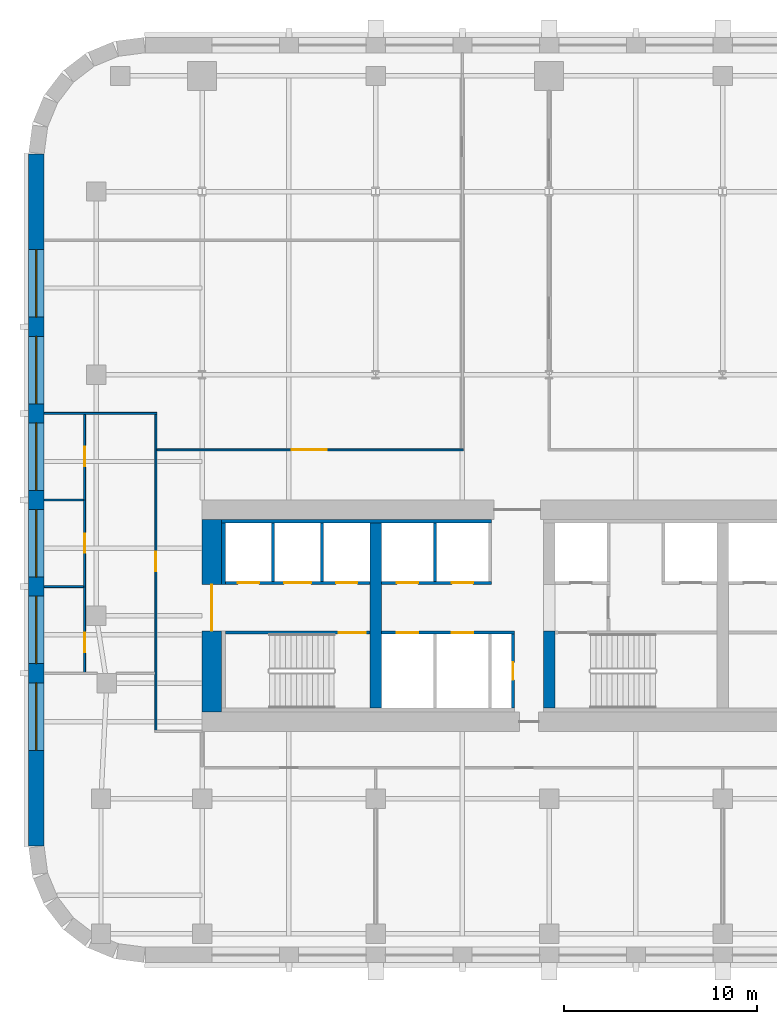
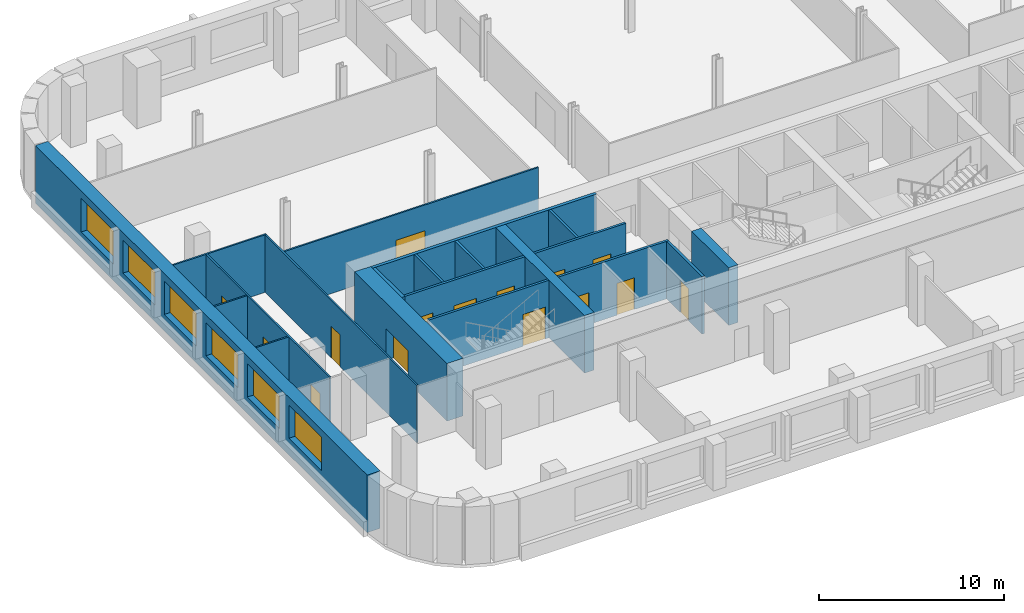
# One storey, part 3 of 9: 20 walls, 15 doors, 6 windows, 21 openings.
"""IFC4 building model written with IfcOpenShell, lengths in metres."""

from ifc_helpers import new_model, si_unit, direction, frame, frame_2d, origin, place, context, subcontext, project, spatial, rectangle, extrude, material, layer, layer_set, type_object, element, fill, save


model = new_model("IFC4")

# Units and contexts
model_context = context("Model", 3, precision=1e-05, world=origin(), true_north=direction((0.0, 1.0)))
body_context = subcontext(model_context, "Body", "Model", "MODEL_VIEW")
ifc_project = project(units=[si_unit("LENGTHUNIT", "METRE"), si_unit("AREAUNIT", "SQUARE_METRE"), si_unit("VOLUMEUNIT", "CUBIC_METRE"), si_unit("PLANEANGLEUNIT", "RADIAN"), si_unit("MASSUNIT", "GRAM", prefix="KILO")], contexts=[model_context])

# Site, building, storey
site_placement = place(None, origin())
site = spatial("IfcSite", under=ifc_project, at=site_placement, CompositionType="ELEMENT")
building_placement = place(site_placement, origin())
building = spatial("IfcBuilding", under=site, at=building_placement, Name="Zellij Exchange Tower", CompositionType="ELEMENT")
storey_placement = place(building_placement, frame((0.0, 0.0, 116.5)))
storey = spatial("IfcBuildingStorey", under=building, at=storey_placement, Name="L25", CompositionType="ELEMENT", Elevation=116.5)

# Walls
ifc_material_1 = material(Name="Concrete C70/85", Category="concrete")
ifc_layer_1 = layer(ifc_material_1, 0.60009765625)
ifc_layer_set_1 = layer_set([ifc_layer_1], Name="Concrete C70/85")
wall_type_1 = type_object("IfcWallType", Name="CORE-CW 600 C70/85", PredefinedType="SHEAR", material=ifc_layer_set_1)
wall_1_placement = place(storey_placement, frame((-18.0, -12.800048828125, 0.0), z_axis=(0.0, 0.0, 1.0), x_axis=(0.0, 1.0, 0.0)))
element("IfcWall", 1, at=wall_1_placement, inside=storey, type_object=wall_type_1, Name="Core cross wall x -18 L25", PredefinedType="SHEAR", context=body_context, shape_type="SweptSolid", body=[
    extrude(rectangle(XDim=9.60009765625, YDim=0.60009765625, at=frame_2d((4.800048828125, 0.0))), origin(), (0.0, 0.0, 1.0), 3.800048828125),
])
wall_2_placement = place(storey_placement, frame((-9.0, -12.800048828125, 0.0), z_axis=(0.0, 0.0, 1.0), x_axis=(0.0, 1.0, 0.0)))
element("IfcWall", 2, at=wall_2_placement, inside=storey, type_object=wall_type_1, Name="Core cross wall pier x -9 a L25", PredefinedType="SHEAR", context=body_context, shape_type="SweptSolid", body=[
    extrude(rectangle(XDim=4.0, YDim=0.60009765625, at=frame_2d((2.0, 0.0))), origin(), (0.0, 0.0, 1.0), 3.800048828125),
])
ifc_material_2 = material(Name="Concrete C30/37", Category="concrete")
ifc_layer_2 = layer(ifc_material_2, 0.199951171875)
ifc_layer_set_2 = layer_set([ifc_layer_2], Name="Concrete C30/37")
wall_type_2 = type_object("IfcWallType", Name="CORE-LW 200 C30/37", PredefinedType="SHEAR", material=ifc_layer_set_2)
wall_3_placement = place(storey_placement, frame((-26.0, -3.10009765625, 0.0), z_axis=(0.0, 0.0, 1.0), x_axis=(1.0, 0.0, 0.0)))
element("IfcWall", 3, at=wall_3_placement, inside=storey, type_object=wall_type_2, Name="Core wall lining front.0 L25", PredefinedType="SHEAR", context=body_context, shape_type="SweptSolid", body=[
    extrude(rectangle(XDim=14.0, YDim=0.199951171875, at=frame_2d((7.0, 0.0))), origin(), (0.0, 0.0, 1.0), 3.800048828125),
])
wall_4_placement = place(storey_placement, frame((-25.89990234375, -6.375, 0.0), z_axis=(0.0, 0.0, 1.0), x_axis=(0.0, 1.0, 0.0)))
element("IfcWall", 4, at=wall_4_placement, inside=storey, type_object=wall_type_2, Name="Core wall lining end w.1 L25", PredefinedType="SHEAR", context=body_context, shape_type="SweptSolid", body=[
    extrude(rectangle(XDim=3.175048828125, YDim=0.199951171875, at=frame_2d((1.58740234375, 0.0))), origin(), (0.0, 0.0, 1.0), 3.800048828125),
])

# Wall, opening, door
ifc_material_3 = material(Name="Gypsum board partition")
ifc_layer_3 = layer(ifc_material_3, 0.14990234375)
ifc_layer_set_3 = layer_set([ifc_layer_3], Name="Gypsum board partition")
wall_type_3 = type_object("IfcWallType", Name="CORE-PW 150 Lift lobby wall", PredefinedType="PARTITIONING", material=ifc_layer_set_3)
wall_5_placement = place(storey_placement, frame((-10.875, -12.800048828125, 0.0), z_axis=(0.0, 0.0, 1.0), x_axis=(0.0, 1.0, 0.0)))
wall_5 = element("IfcWall", 5, at=wall_5_placement, inside=storey, type_object=wall_type_3, Name="Lift lobby wall L25", PredefinedType="PARTITIONING", context=body_context, shape_type="SweptSolid", body=[
    extrude(rectangle(XDim=3.85009765625, YDim=0.14990234375, at=frame_2d((1.925048828125, 0.0))), origin(), (0.0, 0.0, 1.0), 3.800048828125),
])
opening_1_placement = place(wall_5_placement, frame((1.47509765625, 0.0, 0.0)))
opening_1 = element("IfcOpeningElement", 6, at=opening_1_placement, cuts=wall_5, Name="Opening CA-14.10", PredefinedType="OPENING", context=body_context, shape_type="SweptSolid", body=[
    extrude(rectangle(XDim=0.89990234375, YDim=2.10009765625, at=frame_2d((0.449951171875, 1.050048828125))), frame((0.0, 0.0869140625, 0.0), z_axis=(0.0, -1.0, 0.0), x_axis=(1.0, 0.0, 0.0)), (0.0, 0.0, 1.0), 0.173828125),
])
ifc_material_4 = material(Name="Hollow metal fire door")
door_type_1 = type_object("IfcDoorType", Name="CORE-D RD Riser door 900x2100 1.5 HR", OperationType="NOTDEFINED", PredefinedType="DOOR", material=ifc_material_4)
door_1_placement = place(opening_1_placement, origin())
door_1 = element("IfcDoor", 7, at=door_1_placement, inside=storey, type_object=door_type_1, Name="Riser door CA-14.10", OperationType="SINGLE_SWING_RIGHT", OverallHeight=2.10009765625, OverallWidth=0.89990234375, PredefinedType="DOOR", context=body_context, shape_type="SweptSolid", body=[
    extrude(rectangle(XDim=0.89990234375, YDim=2.10009765625, at=frame_2d((0.449951171875, 1.050048828125))), frame((0.0, 0.02490234375, 0.0), z_axis=(0.0, -1.0, 0.0), x_axis=(1.0, 0.0, 0.0)), (0.0, 0.0, 1.0), 0.050048828125),
])
fill(opening_1, door_1)

# Walls
ifc_material_5 = material(Name="Gypsum shaft wall system")
ifc_layer_4 = layer(ifc_material_5, 0.14990234375)
ifc_layer_set_4 = layer_set([ifc_layer_4], Name="Gypsum shaft wall system")
wall_type_4 = type_object("IfcWallType", Name="CORE-PW 150 Lift shaft wall", PredefinedType="PARTITIONING", material=ifc_layer_set_4)
for number, where, z_axis, x_axis, name in (
    (8, (-20.77490234375, -6.22509765625, 0.0), (0.0, 0.0, 1.0), (0.0, 1.0, 0.0), "Lift shaft wall L25"),
    (9, (-23.324951171875, -6.22509765625, 0.0), (0.0, 0.0, 1.0), (0.0, 1.0, 0.0), "Lift shaft wall L25"),
    (10, (-14.925048828125, -6.22509765625, 0.0), (0.0, 0.0, 1.0), (0.0, 1.0, 0.0), "Lift shaft wall L25"),
):
    element("IfcWall", number, at=place(storey_placement, frame(where, z_axis=z_axis, x_axis=x_axis)), inside=storey, type_object=wall_type_4, Name=name, PredefinedType="PARTITIONING", context=body_context, shape_type="SweptSolid", body=[
        extrude(rectangle(XDim=3.025146484375, YDim=0.14990234375, at=frame_2d((1.5126953125, 0.0))), origin(), (0.0, 0.0, 1.0), 3.800048828125),
    ])

# Wall, openings, doors
wall_6_placement = place(storey_placement, frame((-25.800048828125, -6.300048828125, 0.0), z_axis=(0.0, 0.0, 1.0), x_axis=(1.0, 0.0, 0.0)))
wall_6 = element("IfcWall", 11, at=wall_6_placement, inside=storey, type_object=wall_type_4, Name="Lift shaft wall L25", PredefinedType="PARTITIONING", context=body_context, shape_type="SweptSolid", body=[
    extrude(rectangle(XDim=7.5, YDim=0.14990234375, at=frame_2d((3.75, 0.0))), origin(), (0.0, 0.0, 1.0), 3.800048828125),
])
opening_2_placement = place(wall_6_placement, frame((0.64990234375, 0.0, 0.0)))
opening_2 = element("IfcOpeningElement", 12, at=opening_2_placement, cuts=wall_6, Name="Opening CA-14.02", PredefinedType="OPENING", context=body_context, shape_type="SweptSolid", body=[
    extrude(rectangle(XDim=1.10009765625, YDim=2.10009765625, at=frame_2d((0.550048828125, 1.050048828125))), frame((0.0, 0.0869140625, 0.0), z_axis=(0.0, -1.0, 0.0), x_axis=(1.0, 0.0, 0.0)), (0.0, 0.0, 1.0), 0.173828125),
])
opening_3_placement = place(wall_6_placement, frame((3.050048828125, 0.0, 0.0)))
opening_3 = element("IfcOpeningElement", 13, at=opening_3_placement, cuts=wall_6, Name="Opening CA-14.03", PredefinedType="OPENING", context=body_context, shape_type="SweptSolid", body=[
    extrude(rectangle(XDim=1.39990234375, YDim=2.10009765625, at=frame_2d((0.699951171875, 1.050048828125))), frame((0.0, 0.0869140625, 0.0), z_axis=(0.0, -1.0, 0.0), x_axis=(1.0, 0.0, 0.0)), (0.0, 0.0, 1.0), 0.173828125),
])
opening_4_placement = place(wall_6_placement, frame((5.75, 0.0, 0.0)))
opening_4 = element("IfcOpeningElement", 14, at=opening_4_placement, cuts=wall_6, Name="Opening CA-14.04", PredefinedType="OPENING", context=body_context, shape_type="SweptSolid", body=[
    extrude(rectangle(XDim=1.10009765625, YDim=2.10009765625, at=frame_2d((0.550048828125, 1.050048828125))), frame((0.0, 0.0869140625, 0.0), z_axis=(0.0, -1.0, 0.0), x_axis=(1.0, 0.0, 0.0)), (0.0, 0.0, 1.0), 0.173828125),
])
door_type_2 = type_object("IfcDoorType", Name="CORE-D LD Lift landing door 1100x2100 1.5 HR", OperationType="NOTDEFINED", PredefinedType="DOOR", material=ifc_material_4)
door_2_placement = place(opening_2_placement, origin())
door_2 = element("IfcDoor", 15, at=door_2_placement, inside=storey, type_object=door_type_2, Name="Lift landing door CA-14.02", OperationType="SLIDING_TO_RIGHT", OverallHeight=2.10009765625, OverallWidth=1.10009765625, PredefinedType="DOOR", context=body_context, shape_type="SweptSolid", body=[
    extrude(rectangle(XDim=1.10009765625, YDim=2.10009765625, at=frame_2d((0.550048828125, 1.050048828125))), frame((0.0, 0.02490234375, 0.0), z_axis=(0.0, -1.0, 0.0), x_axis=(1.0, 0.0, 0.0)), (0.0, 0.0, 1.0), 0.050048828125),
])
fill(opening_2, door_2)
door_3_placement = place(opening_4_placement, origin())
door_3 = element("IfcDoor", 16, at=door_3_placement, inside=storey, type_object=door_type_2, Name="Lift landing door CA-14.04", OperationType="SLIDING_TO_RIGHT", OverallHeight=2.10009765625, OverallWidth=1.10009765625, PredefinedType="DOOR", context=body_context, shape_type="SweptSolid", body=[
    extrude(rectangle(XDim=1.10009765625, YDim=2.10009765625, at=frame_2d((0.550048828125, 1.050048828125))), frame((0.0, 0.02490234375, 0.0), z_axis=(0.0, -1.0, 0.0), x_axis=(1.0, 0.0, 0.0)), (0.0, 0.0, 1.0), 0.050048828125),
])
fill(opening_4, door_3)
door_type_3 = type_object("IfcDoorType", Name="CORE-D LD2 Service lift landing door 1400x2100 1.5 HR", OperationType="NOTDEFINED", PredefinedType="DOOR", material=ifc_material_4)
door_4_placement = place(opening_3_placement, origin())
door_4 = element("IfcDoor", 17, at=door_4_placement, inside=storey, type_object=door_type_3, Name="Service lift landing door CA-14.03", OperationType="SLIDING_TO_LEFT", OverallHeight=2.10009765625, OverallWidth=1.39990234375, PredefinedType="DOOR", context=body_context, shape_type="SweptSolid", body=[
    extrude(rectangle(XDim=1.39990234375, YDim=2.10009765625, at=frame_2d((0.699951171875, 1.050048828125))), frame((0.0, 0.02490234375, 0.0), z_axis=(0.0, -1.0, 0.0), x_axis=(1.0, 0.0, 0.0)), (0.0, 0.0, 1.0), 0.050048828125),
])
fill(opening_3, door_4)

wall_7_placement = place(storey_placement, frame((-17.699951171875, -6.300048828125, 0.0), z_axis=(0.0, 0.0, 1.0), x_axis=(1.0, 0.0, 0.0)))
wall_7 = element("IfcWall", 18, at=wall_7_placement, inside=storey, type_object=wall_type_4, Name="Lift shaft wall L25", PredefinedType="PARTITIONING", context=body_context, shape_type="SweptSolid", body=[
    extrude(rectangle(XDim=5.699951171875, YDim=0.14990234375, at=frame_2d((2.85009765625, 0.0))), origin(), (0.0, 0.0, 1.0), 3.800048828125),
])
opening_5_placement = place(wall_7_placement, frame((0.800048828125, 0.0, 0.0)))
opening_5 = element("IfcOpeningElement", 19, at=opening_5_placement, cuts=wall_7, Name="Opening CA-14.07", PredefinedType="OPENING", context=body_context, shape_type="SweptSolid", body=[
    extrude(rectangle(XDim=1.10009765625, YDim=2.10009765625, at=frame_2d((0.550048828125, 1.050048828125))), frame((0.0, 0.0869140625, 0.0), z_axis=(0.0, -1.0, 0.0), x_axis=(1.0, 0.0, 0.0)), (0.0, 0.0, 1.0), 0.173828125),
])
opening_6_placement = place(wall_7_placement, frame((3.64990234375, 0.0, 0.0)))
opening_6 = element("IfcOpeningElement", 20, at=opening_6_placement, cuts=wall_7, Name="Opening CA-14.09", PredefinedType="OPENING", context=body_context, shape_type="SweptSolid", body=[
    extrude(rectangle(XDim=1.10009765625, YDim=2.10009765625, at=frame_2d((0.550048828125, 1.050048828125))), frame((0.0, 0.0869140625, 0.0), z_axis=(0.0, -1.0, 0.0), x_axis=(1.0, 0.0, 0.0)), (0.0, 0.0, 1.0), 0.173828125),
])
door_5_placement = place(opening_5_placement, origin())
door_5 = element("IfcDoor", 21, at=door_5_placement, inside=storey, type_object=door_type_2, Name="Lift landing door CA-14.07", OperationType="SLIDING_TO_LEFT", OverallHeight=2.10009765625, OverallWidth=1.10009765625, PredefinedType="DOOR", context=body_context, shape_type="SweptSolid", body=[
    extrude(rectangle(XDim=1.10009765625, YDim=2.10009765625, at=frame_2d((0.550048828125, 1.050048828125))), frame((0.0, 0.02490234375, 0.0), z_axis=(0.0, -1.0, 0.0), x_axis=(1.0, 0.0, 0.0)), (0.0, 0.0, 1.0), 0.050048828125),
])
fill(opening_5, door_5)
door_6_placement = place(opening_6_placement, origin())
door_6 = element("IfcDoor", 22, at=door_6_placement, inside=storey, type_object=door_type_2, Name="Lift landing door CA-14.09", OperationType="SLIDING_TO_LEFT", OverallHeight=2.10009765625, OverallWidth=1.10009765625, PredefinedType="DOOR", context=body_context, shape_type="SweptSolid", body=[
    extrude(rectangle(XDim=1.10009765625, YDim=2.10009765625, at=frame_2d((0.550048828125, 1.050048828125))), frame((0.0, 0.02490234375, 0.0), z_axis=(0.0, -1.0, 0.0), x_axis=(1.0, 0.0, 0.0)), (0.0, 0.0, 1.0), 0.050048828125),
])
fill(opening_6, door_6)

wall_8_placement = place(storey_placement, frame((-17.699951171875, -8.875, 0.0), z_axis=(0.0, 0.0, 1.0), x_axis=(1.0, 0.0, 0.0)))
wall_8 = element("IfcWall", 23, at=wall_8_placement, inside=storey, type_object=wall_type_4, Name="Lift shaft wall L25", PredefinedType="PARTITIONING", context=body_context, shape_type="SweptSolid", body=[
    extrude(rectangle(XDim=6.89990234375, YDim=0.14990234375, at=frame_2d((3.449951171875, 0.0))), origin(), (0.0, 0.0, 1.0), 3.800048828125),
])
opening_7_placement = place(wall_8_placement, frame((0.800048828125, 0.0, 0.0)))
opening_7 = element("IfcOpeningElement", 24, at=opening_7_placement, cuts=wall_8, Name="Opening CA-14.06", PredefinedType="OPENING", context=body_context, shape_type="SweptSolid", body=[
    extrude(rectangle(XDim=1.10009765625, YDim=2.10009765625, at=frame_2d((0.550048828125, 1.050048828125))), frame((0.0, 0.0869140625, 0.0), z_axis=(0.0, -1.0, 0.0), x_axis=(1.0, 0.0, 0.0)), (0.0, 0.0, 1.0), 0.173828125),
])
opening_8_placement = place(wall_8_placement, frame((3.64990234375, 0.0, 0.0)))
opening_8 = element("IfcOpeningElement", 25, at=opening_8_placement, cuts=wall_8, Name="Opening CA-14.08", PredefinedType="OPENING", context=body_context, shape_type="SweptSolid", body=[
    extrude(rectangle(XDim=1.10009765625, YDim=2.10009765625, at=frame_2d((0.550048828125, 1.050048828125))), frame((0.0, 0.0869140625, 0.0), z_axis=(0.0, -1.0, 0.0), x_axis=(1.0, 0.0, 0.0)), (0.0, 0.0, 1.0), 0.173828125),
])
door_7_placement = place(opening_7_placement, origin())
door_7 = element("IfcDoor", 26, at=door_7_placement, inside=storey, type_object=door_type_2, Name="Lift landing door CA-14.06", OperationType="SLIDING_TO_RIGHT", OverallHeight=2.10009765625, OverallWidth=1.10009765625, PredefinedType="DOOR", context=body_context, shape_type="SweptSolid", body=[
    extrude(rectangle(XDim=1.10009765625, YDim=2.10009765625, at=frame_2d((0.550048828125, 1.050048828125))), frame((0.0, 0.02490234375, 0.0), z_axis=(0.0, -1.0, 0.0), x_axis=(1.0, 0.0, 0.0)), (0.0, 0.0, 1.0), 0.050048828125),
])
fill(opening_7, door_7)
door_8_placement = place(opening_8_placement, origin())
door_8 = element("IfcDoor", 27, at=door_8_placement, inside=storey, type_object=door_type_2, Name="Lift landing door CA-14.08", OperationType="SLIDING_TO_RIGHT", OverallHeight=2.10009765625, OverallWidth=1.10009765625, PredefinedType="DOOR", context=body_context, shape_type="SweptSolid", body=[
    extrude(rectangle(XDim=1.10009765625, YDim=2.10009765625, at=frame_2d((0.550048828125, 1.050048828125))), frame((0.0, 0.02490234375, 0.0), z_axis=(0.0, -1.0, 0.0), x_axis=(1.0, 0.0, 0.0)), (0.0, 0.0, 1.0), 0.050048828125),
])
fill(opening_8, door_8)

# Wall, opening, door
ifc_layer_5 = layer(ifc_material_1, 1.0)
ifc_layer_set_5 = layer_set([ifc_layer_5], Name="Concrete C70/85")
wall_type_5 = type_object("IfcWallType", Name="CORE-SW 1000 C70/85", PredefinedType="SHEAR", material=ifc_layer_set_5)
wall_9_placement = place(storey_placement, frame((-26.5, -13.0, 0.0), z_axis=(0.0, 0.0, 1.0), x_axis=(0.0, 1.0, 0.0)))
wall_9 = element("IfcWall", 28, at=wall_9_placement, inside=storey, type_object=wall_type_5, Name="Core shear wall end w L25", PredefinedType="SHEAR", context=body_context, shape_type="SweptSolid", body=[
    extrude(rectangle(XDim=10.0, YDim=1.0, at=frame_2d((5.0, 0.0))), origin(), (0.0, 0.0, 1.0), 3.800048828125),
])
opening_9_placement = place(wall_9_placement, frame((4.2119140625, 0.0, 0.0)))
opening_9 = element("IfcOpeningElement", 29, at=opening_9_placement, cuts=wall_9, Name="Opening CA-14.01", PredefinedType="OPENING", context=body_context, shape_type="SweptSolid", body=[
    extrude(rectangle(XDim=2.39990234375, YDim=2.10009765625, at=frame_2d((1.199951171875, 1.050048828125))), frame((0.0, 0.511962890625, 0.0), z_axis=(0.0, -1.0, 0.0), x_axis=(1.0, 0.0, 0.0)), (0.0, 0.0, 1.0), 1.02392578125),
])
door_type_4 = type_object("IfcDoorType", Name="CORE-D CE Core entrance door 2400x2100 20 MIN", OperationType="NOTDEFINED", PredefinedType="DOOR", material=ifc_material_4)
door_9_placement = place(opening_9_placement, origin())
door_9 = element("IfcDoor", 30, at=door_9_placement, inside=storey, type_object=door_type_4, Name="Core entrance door CA-14.01", OperationType="DOUBLE_DOOR_SINGLE_SWING", OverallHeight=2.10009765625, OverallWidth=2.39990234375, PredefinedType="DOOR", context=body_context, shape_type="SweptSolid", body=[
    extrude(rectangle(XDim=2.39990234375, YDim=2.10009765625, at=frame_2d((1.199951171875, 1.050048828125))), frame((0.0, 0.02490234375, 0.0), z_axis=(0.0, -1.0, 0.0), x_axis=(1.0, 0.0, 0.0)), (0.0, 0.0, 1.0), 0.050048828125),
])
fill(opening_9, door_9)

ifc_layer_6 = layer(ifc_material_1, 0.14990234375)
ifc_layer_set_6 = layer_set([ifc_layer_6], Name="Concrete C70/85")
wall_type_6 = type_object("IfcWallType", Name="CORE-SWS 150 C70/85", PredefinedType="SHEAR", material=ifc_layer_set_6)
wall_10_placement = place(storey_placement, frame((-25.800048828125, -8.875, 0.0), z_axis=(0.0, 0.0, 1.0), x_axis=(1.0, 0.0, 0.0)))
wall_10 = element("IfcWall", 31, at=wall_10_placement, inside=storey, type_object=wall_type_6, Name="Stair enclosure wall L25", PredefinedType="SHEAR", context=body_context, shape_type="SweptSolid", body=[
    extrude(rectangle(XDim=7.5, YDim=0.14990234375, at=frame_2d((3.75, 0.0))), origin(), (0.0, 0.0, 1.0), 3.800048828125),
])
opening_10_placement = place(wall_10_placement, frame((5.875, 0.0, 0.0)))
opening_10 = element("IfcOpeningElement", 32, at=opening_10_placement, cuts=wall_10, Name="Opening CA-14.05", PredefinedType="OPENING", context=body_context, shape_type="SweptSolid", body=[
    extrude(rectangle(XDim=1.39990234375, YDim=2.10009765625, at=frame_2d((0.699951171875, 1.050048828125))), frame((0.0, 0.0869140625, 0.0), z_axis=(0.0, -1.0, 0.0), x_axis=(1.0, 0.0, 0.0)), (0.0, 0.0, 1.0), 0.173828125),
])
door_type_5 = type_object("IfcDoorType", Name="CORE-D SD Stair door 1400x2100 1.5 HR", OperationType="NOTDEFINED", PredefinedType="DOOR", material=ifc_material_4)
door_10_placement = place(opening_10_placement, origin())
door_10 = element("IfcDoor", 33, at=door_10_placement, inside=storey, type_object=door_type_5, Name="Stair door CA-14.05", OperationType="DOUBLE_DOOR_SINGLE_SWING", OverallHeight=2.10009765625, OverallWidth=1.39990234375, PredefinedType="DOOR", context=body_context, shape_type="SweptSolid", body=[
    extrude(rectangle(XDim=1.39990234375, YDim=2.10009765625, at=frame_2d((0.699951171875, 1.050048828125))), frame((0.0, 0.02490234375, 0.0), z_axis=(0.0, -1.0, 0.0), x_axis=(1.0, 0.0, 0.0)), (0.0, 0.0, 1.0), 0.050048828125),
])
fill(opening_10, door_10)

# Wall, openings, windows
ifc_material_6 = material(Name="Precast concrete C40/50", Category="concrete")
ifc_layer_7 = layer(ifc_material_6, 0.800048828125)
ifc_layer_set_7 = layer_set([ifc_layer_7], Name="Precast concrete C40/50")
wall_type_7 = type_object("IfcWallType", Name="ENV-EW1 Precast stone-piered wall 800", PredefinedType="SOLIDWALL", material=ifc_layer_set_7)
wall_11_placement = place(storey_placement, frame((-35.60009765625, 15.947509765625, 0.0), z_axis=(0.0, 0.0, 1.0), x_axis=(0.0, -1.0, 0.0)))
wall_11 = element("IfcWall", 34, at=wall_11_placement, inside=storey, type_object=wall_type_7, Name="fac.L25.26", PredefinedType="SOLIDWALL", context=body_context, shape_type="SweptSolid", body=[
    extrude(rectangle(XDim=35.89501953125, YDim=0.800048828125, at=frame_2d((17.947509765625, 0.0))), origin(), (0.0, 0.0, 1.0), 3.800048828125),
])
opening_11_placement = place(wall_11_placement, frame((4.9638671875, 0.0, 1.10009765625)))
opening_11 = element("IfcOpeningElement", 35, at=opening_11_placement, cuts=wall_11, Name="Opening FZ2.31", PredefinedType="OPENING", context=body_context, shape_type="SweptSolid", body=[
    extrude(rectangle(XDim=3.5, YDim=2.199951171875, at=frame_2d((1.75, 1.10009765625))), frame((0.0, 0.412109375, 0.0), z_axis=(0.0, -1.0, 0.0), x_axis=(1.0, 0.0, 0.0)), (0.0, 0.0, 1.0), 0.823974609375),
])
opening_12_placement = place(wall_11_placement, frame((9.45751953125, 0.0, 1.10009765625)))
opening_12 = element("IfcOpeningElement", 36, at=opening_12_placement, cuts=wall_11, Name="Opening FZ2.32", PredefinedType="OPENING", context=body_context, shape_type="SweptSolid", body=[
    extrude(rectangle(XDim=3.5, YDim=2.199951171875, at=frame_2d((1.75, 1.10009765625))), frame((0.0, 0.412109375, 0.0), z_axis=(0.0, -1.0, 0.0), x_axis=(1.0, 0.0, 0.0)), (0.0, 0.0, 1.0), 0.823974609375),
])
opening_13_placement = place(wall_11_placement, frame((13.950927734375, 0.0, 1.10009765625)))
opening_13 = element("IfcOpeningElement", 37, at=opening_13_placement, cuts=wall_11, Name="Opening FZ2.33", PredefinedType="OPENING", context=body_context, shape_type="SweptSolid", body=[
    extrude(rectangle(XDim=3.5, YDim=2.199951171875, at=frame_2d((1.75, 1.10009765625))), frame((0.0, 0.412109375, 0.0), z_axis=(0.0, -1.0, 0.0), x_axis=(1.0, 0.0, 0.0)), (0.0, 0.0, 1.0), 0.823974609375),
])
opening_14_placement = place(wall_11_placement, frame((18.4443359375, 0.0, 1.10009765625)))
opening_14 = element("IfcOpeningElement", 38, at=opening_14_placement, cuts=wall_11, Name="Opening FZ2.34", PredefinedType="OPENING", context=body_context, shape_type="SweptSolid", body=[
    extrude(rectangle(XDim=3.5, YDim=2.199951171875, at=frame_2d((1.75, 1.10009765625))), frame((0.0, 0.412109375, 0.0), z_axis=(0.0, -1.0, 0.0), x_axis=(1.0, 0.0, 0.0)), (0.0, 0.0, 1.0), 0.823974609375),
])
opening_15_placement = place(wall_11_placement, frame((22.937744140625, 0.0, 1.10009765625)))
opening_15 = element("IfcOpeningElement", 39, at=opening_15_placement, cuts=wall_11, Name="Opening FZ2.35", PredefinedType="OPENING", context=body_context, shape_type="SweptSolid", body=[
    extrude(rectangle(XDim=3.5, YDim=2.199951171875, at=frame_2d((1.75, 1.10009765625))), frame((0.0, 0.412109375, 0.0), z_axis=(0.0, -1.0, 0.0), x_axis=(1.0, 0.0, 0.0)), (0.0, 0.0, 1.0), 0.823974609375),
])
opening_16_placement = place(wall_11_placement, frame((27.43115234375, 0.0, 1.10009765625)))
opening_16 = element("IfcOpeningElement", 40, at=opening_16_placement, cuts=wall_11, Name="Opening FZ2.36", PredefinedType="OPENING", context=body_context, shape_type="SweptSolid", body=[
    extrude(rectangle(XDim=3.5, YDim=2.199951171875, at=frame_2d((1.75, 1.10009765625))), frame((0.0, 0.412109375, 0.0), z_axis=(0.0, -1.0, 0.0), x_axis=(1.0, 0.0, 0.0)), (0.0, 0.0, 1.0), 0.823974609375),
])
ifc_material_7 = material(Name="Aluminium frame with insulating glass", Category="aluminium")
window_type = type_object("IfcWindowType", Name="ENV-W7 Window 3500x2200", PartitioningType="SINGLE_PANEL", PredefinedType="WINDOW", material=ifc_material_7)
window_1_placement = place(opening_11_placement, origin())
window_1 = element("IfcWindow", 41, at=window_1_placement, inside=storey, type_object=window_type, Name="Window FZ2.31", OverallHeight=2.199951171875, OverallWidth=3.5, PartitioningType="SINGLE_PANEL", PredefinedType="WINDOW", context=body_context, shape_type="SweptSolid", body=[
    extrude(rectangle(XDim=3.5, YDim=2.199951171875, at=frame_2d((1.75, 1.10009765625))), frame((0.0, 0.030029296875, 0.0), z_axis=(0.0, -1.0, 0.0), x_axis=(1.0, 0.0, 0.0)), (0.0, 0.0, 1.0), 0.06005859375),
])
fill(opening_11, window_1)
window_2_placement = place(opening_12_placement, origin())
window_2 = element("IfcWindow", 42, at=window_2_placement, inside=storey, type_object=window_type, Name="Window FZ2.32", OverallHeight=2.199951171875, OverallWidth=3.5, PartitioningType="SINGLE_PANEL", PredefinedType="WINDOW", context=body_context, shape_type="SweptSolid", body=[
    extrude(rectangle(XDim=3.5, YDim=2.199951171875, at=frame_2d((1.75, 1.10009765625))), frame((0.0, 0.030029296875, 0.0), z_axis=(0.0, -1.0, 0.0), x_axis=(1.0, 0.0, 0.0)), (0.0, 0.0, 1.0), 0.06005859375),
])
fill(opening_12, window_2)
window_3_placement = place(opening_13_placement, origin())
window_3 = element("IfcWindow", 43, at=window_3_placement, inside=storey, type_object=window_type, Name="Window FZ2.33", OverallHeight=2.199951171875, OverallWidth=3.5, PartitioningType="SINGLE_PANEL", PredefinedType="WINDOW", context=body_context, shape_type="SweptSolid", body=[
    extrude(rectangle(XDim=3.5, YDim=2.199951171875, at=frame_2d((1.75, 1.10009765625))), frame((0.0, 0.030029296875, 0.0), z_axis=(0.0, -1.0, 0.0), x_axis=(1.0, 0.0, 0.0)), (0.0, 0.0, 1.0), 0.06005859375),
])
fill(opening_13, window_3)
window_4_placement = place(opening_14_placement, origin())
window_4 = element("IfcWindow", 44, at=window_4_placement, inside=storey, type_object=window_type, Name="Window FZ2.34", OverallHeight=2.199951171875, OverallWidth=3.5, PartitioningType="SINGLE_PANEL", PredefinedType="WINDOW", context=body_context, shape_type="SweptSolid", body=[
    extrude(rectangle(XDim=3.5, YDim=2.199951171875, at=frame_2d((1.75, 1.10009765625))), frame((0.0, 0.030029296875, 0.0), z_axis=(0.0, -1.0, 0.0), x_axis=(1.0, 0.0, 0.0)), (0.0, 0.0, 1.0), 0.06005859375),
])
fill(opening_14, window_4)
window_5_placement = place(opening_15_placement, origin())
window_5 = element("IfcWindow", 45, at=window_5_placement, inside=storey, type_object=window_type, Name="Window FZ2.35", OverallHeight=2.199951171875, OverallWidth=3.5, PartitioningType="SINGLE_PANEL", PredefinedType="WINDOW", context=body_context, shape_type="SweptSolid", body=[
    extrude(rectangle(XDim=3.5, YDim=2.199951171875, at=frame_2d((1.75, 1.10009765625))), frame((0.0, 0.030029296875, 0.0), z_axis=(0.0, -1.0, 0.0), x_axis=(1.0, 0.0, 0.0)), (0.0, 0.0, 1.0), 0.06005859375),
])
fill(opening_15, window_5)
window_6_placement = place(opening_16_placement, origin())
window_6 = element("IfcWindow", 46, at=window_6_placement, inside=storey, type_object=window_type, Name="Window FZ2.36", OverallHeight=2.199951171875, OverallWidth=3.5, PartitioningType="SINGLE_PANEL", PredefinedType="WINDOW", context=body_context, shape_type="SweptSolid", body=[
    extrude(rectangle(XDim=3.5, YDim=2.199951171875, at=frame_2d((1.75, 1.10009765625))), frame((0.0, 0.030029296875, 0.0), z_axis=(0.0, -1.0, 0.0), x_axis=(1.0, 0.0, 0.0)), (0.0, 0.0, 1.0), 0.06005859375),
])
fill(opening_16, window_6)

# Wall, opening, door
ifc_material_8 = material(Name="Gypsum board partition on steel studs", Category="steel")
ifc_layer_8 = layer(ifc_material_8, 0.10009765625)
ifc_layer_set_8 = layer_set([ifc_layer_8], Name="Gypsum board partition on steel studs")
wall_type_8 = type_object("IfcWallType", Name="FIT-PARTITION-100", PredefinedType="PARTITIONING", material=ifc_layer_set_8)
wall_12_placement = place(storey_placement, frame((-29.39990234375, -13.949951171875, 0.0), z_axis=(0.0, 0.0, 1.0), x_axis=(0.0, 1.0, 0.0)))
wall_12 = element("IfcWall", 47, at=wall_12_placement, inside=storey, type_object=wall_type_8, Name="FIT-PARTITION-100 011", PredefinedType="PARTITIONING", context=body_context, shape_type="SweptSolid", body=[
    extrude(rectangle(XDim=16.389892578125, YDim=0.10009765625, at=frame_2d((8.19482421875, 0.0))), origin(), (0.0, 0.0, 1.0), 3.800048828125),
])
opening_17_placement = place(wall_12_placement, frame((8.260009765625, 0.0, 0.0)))
opening_17 = element("IfcOpeningElement", 48, at=opening_17_placement, cuts=wall_12, Name="Opening TE.07", PredefinedType="OPENING", context=body_context, shape_type="SweptSolid", body=[
    extrude(rectangle(XDim=1.0, YDim=2.10009765625, at=frame_2d((0.5, 1.050048828125))), frame((0.0, 0.06201171875, 0.0), z_axis=(0.0, -1.0, 0.0), x_axis=(1.0, 0.0, 0.0)), (0.0, 0.0, 1.0), 0.1240234375),
])
ifc_material_9 = material(Name="Timber door set", Category="wood")
door_type_6 = type_object("IfcDoorType", Name="FIT-D2-WIDE-1000X2100", OperationType="SINGLE_SWING_LEFT", PredefinedType="DOOR", material=ifc_material_9)
door_11_placement = place(opening_17_placement, origin())
door_11 = element("IfcDoor", 49, at=door_11_placement, inside=storey, type_object=door_type_6, Name="Door TE.07", OperationType="SINGLE_SWING_RIGHT", OverallHeight=2.10009765625, OverallWidth=1.0, PredefinedType="DOOR", context=body_context, shape_type="SweptSolid", body=[
    extrude(rectangle(XDim=1.0, YDim=2.10009765625, at=frame_2d((0.5, 1.050048828125))), frame((0.0, 0.02490234375, 0.0), z_axis=(0.0, -1.0, 0.0), x_axis=(1.0, 0.0, 0.0)), (0.0, 0.0, 1.0), 0.050048828125),
])
fill(opening_17, door_11)

# Wall, openings, doors
wall_13_placement = place(storey_placement, frame((-33.10009765625, -10.93994140625, 0.0), z_axis=(0.0, 0.0, 1.0), x_axis=(0.0, 1.0, 0.0)))
wall_13 = element("IfcWall", 50, at=wall_13_placement, inside=storey, type_object=wall_type_8, Name="FIT-PARTITION-100 016", PredefinedType="PARTITIONING", context=body_context, shape_type="SweptSolid", body=[
    extrude(rectangle(XDim=13.3798828125, YDim=0.10009765625, at=frame_2d((6.68994140625, 0.0))), origin(), (0.0, 0.0, 1.0), 3.800048828125),
])
opening_18_placement = place(wall_13_placement, frame((1.050048828125, 0.0, 0.0)))
opening_18 = element("IfcOpeningElement", 51, at=opening_18_placement, cuts=wall_13, Name="Opening TE.05", PredefinedType="OPENING", context=body_context, shape_type="SweptSolid", body=[
    extrude(rectangle(XDim=1.0, YDim=2.10009765625, at=frame_2d((0.5, 1.050048828125))), frame((0.0, 0.06201171875, 0.0), z_axis=(0.0, -1.0, 0.0), x_axis=(1.0, 0.0, 0.0)), (0.0, 0.0, 1.0), 0.1240234375),
])
opening_19_placement = place(wall_13_placement, frame((6.199951171875, 0.0, 0.0)))
opening_19 = element("IfcOpeningElement", 52, at=opening_19_placement, cuts=wall_13, Name="Opening TE.08", PredefinedType="OPENING", context=body_context, shape_type="SweptSolid", body=[
    extrude(rectangle(XDim=1.0, YDim=2.10009765625, at=frame_2d((0.5, 1.050048828125))), frame((0.0, 0.06201171875, 0.0), z_axis=(0.0, -1.0, 0.0), x_axis=(1.0, 0.0, 0.0)), (0.0, 0.0, 1.0), 0.1240234375),
])
opening_20_placement = place(wall_13_placement, frame((10.68994140625, 0.0, 0.0)))
opening_20 = element("IfcOpeningElement", 53, at=opening_20_placement, cuts=wall_13, Name="Opening TE.09", PredefinedType="OPENING", context=body_context, shape_type="SweptSolid", body=[
    extrude(rectangle(XDim=1.0, YDim=2.10009765625, at=frame_2d((0.5, 1.050048828125))), frame((0.0, 0.06201171875, 0.0), z_axis=(0.0, -1.0, 0.0), x_axis=(1.0, 0.0, 0.0)), (0.0, 0.0, 1.0), 0.1240234375),
])
door_12_placement = place(opening_18_placement, origin())
door_12 = element("IfcDoor", 54, at=door_12_placement, inside=storey, type_object=door_type_6, Name="Door TE.05", OperationType="SINGLE_SWING_RIGHT", OverallHeight=2.10009765625, OverallWidth=1.0, PredefinedType="DOOR", context=body_context, shape_type="SweptSolid", body=[
    extrude(rectangle(XDim=1.0, YDim=2.10009765625, at=frame_2d((0.5, 1.050048828125))), frame((0.0, 0.02490234375, 0.0), z_axis=(0.0, -1.0, 0.0), x_axis=(1.0, 0.0, 0.0)), (0.0, 0.0, 1.0), 0.050048828125),
])
fill(opening_18, door_12)
door_13_placement = place(opening_19_placement, origin())
door_13 = element("IfcDoor", 55, at=door_13_placement, inside=storey, type_object=door_type_6, Name="Door TE.08", OperationType="SINGLE_SWING_LEFT", OverallHeight=2.10009765625, OverallWidth=1.0, PredefinedType="DOOR", context=body_context, shape_type="SweptSolid", body=[
    extrude(rectangle(XDim=1.0, YDim=2.10009765625, at=frame_2d((0.5, 1.050048828125))), frame((0.0, 0.02490234375, 0.0), z_axis=(0.0, -1.0, 0.0), x_axis=(1.0, 0.0, 0.0)), (0.0, 0.0, 1.0), 0.050048828125),
])
fill(opening_19, door_13)
door_14_placement = place(opening_20_placement, origin())
door_14 = element("IfcDoor", 56, at=door_14_placement, inside=storey, type_object=door_type_6, Name="Door TE.09", OperationType="SINGLE_SWING_LEFT", OverallHeight=2.10009765625, OverallWidth=1.0, PredefinedType="DOOR", context=body_context, shape_type="SweptSolid", body=[
    extrude(rectangle(XDim=1.0, YDim=2.10009765625, at=frame_2d((0.5, 1.050048828125))), frame((0.0, 0.02490234375, 0.0), z_axis=(0.0, -1.0, 0.0), x_axis=(1.0, 0.0, 0.0)), (0.0, 0.0, 1.0), 0.050048828125),
])
fill(opening_20, door_14)

# Walls
for number, where, z_axis, x_axis, name in (
    (57, (-35.199951171875, -6.489990234375, 0.0), (0.0, 0.0, 1.0), (1.0, 0.0, 0.0), "FIT-PARTITION-100 018"),
    (58, (-35.199951171875, -2.0, 0.0), (0.0, 0.0, 1.0), (1.0, 0.0, 0.0), "FIT-PARTITION-100 021"),
):
    element("IfcWall", number, at=place(storey_placement, frame(where, z_axis=z_axis, x_axis=x_axis)), inside=storey, type_object=wall_type_8, Name=name, PredefinedType="PARTITIONING", context=body_context, shape_type="SweptSolid", body=[
        extrude(rectangle(XDim=2.050048828125, YDim=0.10009765625, at=frame_2d((1.02490234375, 0.0))), origin(), (0.0, 0.0, 1.0), 3.800048828125),
    ])

# Wall, opening, door
wall_14_placement = place(storey_placement, frame((-29.35009765625, 0.60009765625, 0.0), z_axis=(0.0, 0.0, 1.0), x_axis=(1.0, 0.0, 0.0)))
wall_14 = element("IfcWall", 59, at=wall_14_placement, inside=storey, type_object=wall_type_8, Name="FIT-PARTITION-100 023", PredefinedType="PARTITIONING", context=body_context, shape_type="SweptSolid", body=[
    extrude(rectangle(XDim=15.900146484375, YDim=0.10009765625, at=frame_2d((7.9501953125, 0.0))), origin(), (0.0, 0.0, 1.0), 3.800048828125),
])
opening_21_placement = place(wall_14_placement, frame((7.0, 0.0, 0.0)))
opening_21 = element("IfcOpeningElement", 60, at=opening_21_placement, cuts=wall_14, Name="Opening TE.10", PredefinedType="OPENING", context=body_context, shape_type="SweptSolid", body=[
    extrude(rectangle(XDim=1.800048828125, YDim=2.10009765625, at=frame_2d((0.89990234375, 1.050048828125))), frame((0.0, 0.06201171875, 0.0), z_axis=(0.0, -1.0, 0.0), x_axis=(1.0, 0.0, 0.0)), (0.0, 0.0, 1.0), 0.1240234375),
])
door_type_7 = type_object("IfcDoorType", Name="FIT-D3-DOUBLE-1800X2100", OperationType="DOUBLE_DOOR_SINGLE_SWING", PredefinedType="DOOR", material=ifc_material_9)
door_15_placement = place(opening_21_placement, origin())
door_15 = element("IfcDoor", 61, at=door_15_placement, inside=storey, type_object=door_type_7, Name="Door TE.10", OperationType="DOUBLE_DOOR_SINGLE_SWING", OverallHeight=2.10009765625, OverallWidth=1.800048828125, PredefinedType="DOOR", context=body_context, shape_type="SweptSolid", body=[
    extrude(rectangle(XDim=1.800048828125, YDim=2.10009765625, at=frame_2d((0.89990234375, 1.050048828125))), frame((0.0, 0.02490234375, 0.0), z_axis=(0.0, -1.0, 0.0), x_axis=(1.0, 0.0, 0.0)), (0.0, 0.0, 1.0), 0.050048828125),
])
fill(opening_21, door_15)

# Wall
wall_15_placement = place(storey_placement, frame((-35.199951171875, 2.489990234375, 0.0), z_axis=(0.0, 0.0, 1.0), x_axis=(1.0, 0.0, 0.0)))
element("IfcWall", 62, at=wall_15_placement, inside=storey, type_object=wall_type_8, Name="FIT-PARTITION-100 037", PredefinedType="PARTITIONING", context=body_context, shape_type="SweptSolid", body=[
    extrude(rectangle(XDim=5.849853515625, YDim=0.10009765625, at=frame_2d((2.9248046875, 0.0))), origin(), (0.0, 0.0, 1.0), 3.800048828125),
])

save(model, "model.ifc")
